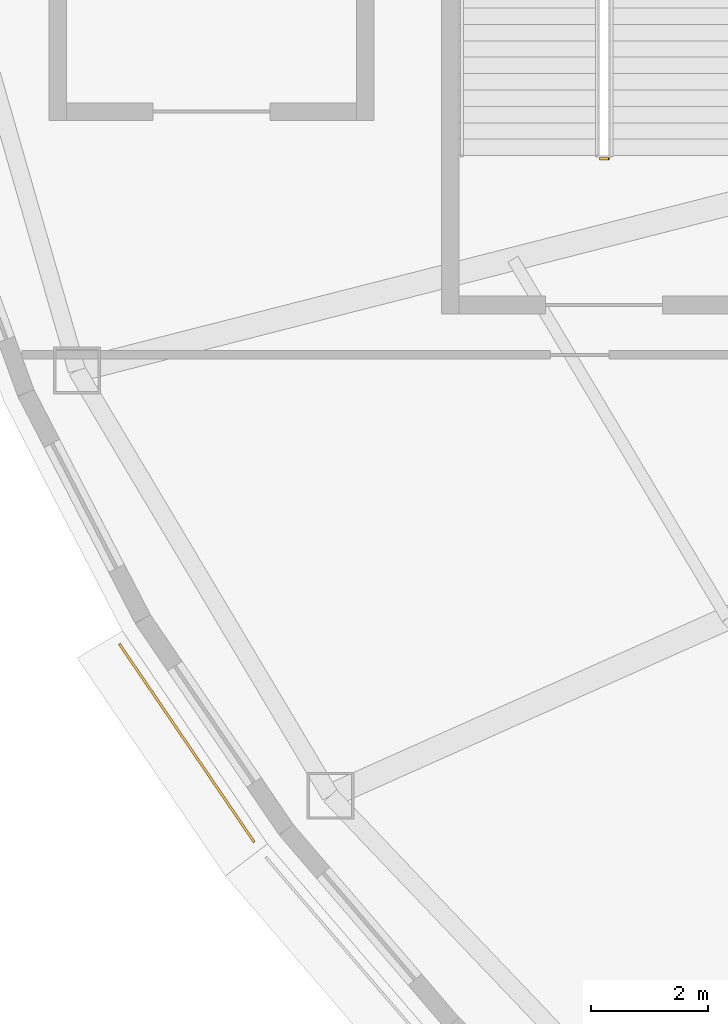
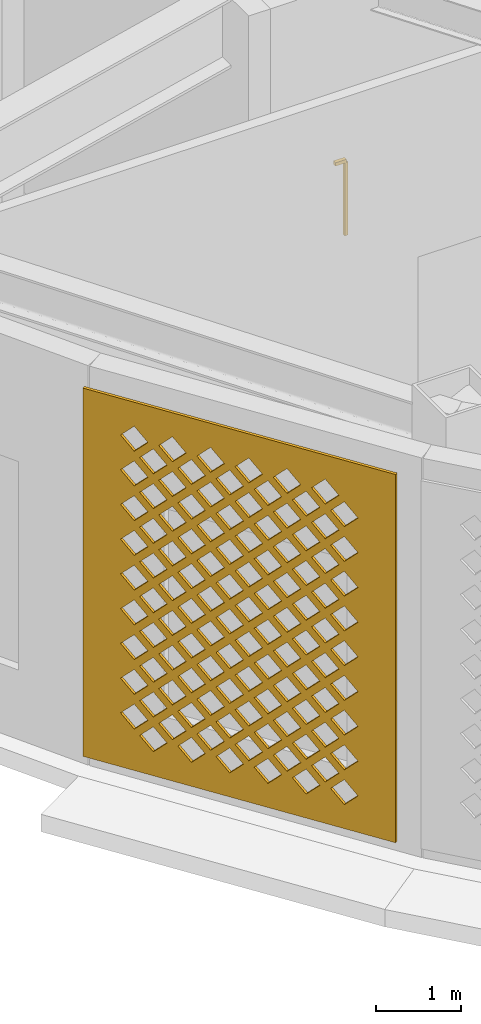
# One storey, part 40 of 74: 1 covering, 1 railing.
"""IFC4 building model written with IfcOpenShell, lengths in metres."""

from ifc_helpers import new_model, si_unit, direction, frame, origin, origin_2d, place, context, subcontext, project, spatial, polyline, rectangle, outline, extrude, material, layer, layer_set, type_object, element, save


model = new_model("IFC4")

# Units and contexts
model_context = context("Model", 3, precision=1e-05, world=origin(), true_north=direction((0.0, 1.0)))
body_context = subcontext(model_context, "Body", "Model", "MODEL_VIEW")
ifc_project = project(units=[si_unit("LENGTHUNIT", "METRE"), si_unit("AREAUNIT", "SQUARE_METRE"), si_unit("VOLUMEUNIT", "CUBIC_METRE"), si_unit("PLANEANGLEUNIT", "RADIAN"), si_unit("MASSUNIT", "GRAM", prefix="KILO")], contexts=[model_context])

# Site, building, storey
site_placement = place(None, origin())
site = spatial("IfcSite", under=ifc_project, at=site_placement, CompositionType="ELEMENT")
building_placement = place(site_placement, origin())
building = spatial("IfcBuilding", under=site, at=building_placement, Name="Noorbagh Ring Tower", CompositionType="ELEMENT")
storey_placement = place(building_placement, frame((0.0, 0.0, 13.5)))
storey = spatial("IfcBuildingStorey", under=building, at=storey_placement, Name="L02", CompositionType="ELEMENT", Elevation=13.5)

# Railing
ifc_material_1 = material(Name="Stainless steel", Category="steel")
railing_type = type_object("IfcRailingType", Name="GND-STAIR-GUARD", PredefinedType="GUARDRAIL", material=ifc_material_1)
railing_placement = place(storey_placement, frame((-38.949951171875, -8.64990234375, 0.0)))
element("IfcRailing", 1, at=railing_placement, inside=storey, type_object=railing_type, Name="L02 ST-P1 stair guard", PredefinedType="GUARDRAIL", context=body_context, shape_type="SweptSolid", body=[
    extrude(rectangle(XDim=0.048095703125, YDim=0.048095703125, at=origin_2d()), frame((0.0, 0.0, 1.076171875), z_axis=(-1.0, 0.0, 0.0), x_axis=(0.0, -1.0, 0.0)), (0.0, 0.0, 1.0), 0.150146484375),
    extrude(rectangle(XDim=0.0419921875, YDim=0.0419921875, at=origin_2d()), origin(), (0.0, 0.0, 1.0), 1.052001953125),
])

# Covering
ifc_material_2 = material(Name="Red sandstone jali", Category="masonry")
ifc_layer = layer(ifc_material_2, 0.0400390625)
ifc_layer_set = layer_set([ifc_layer], Name="Red sandstone jali")
covering_type = type_object("IfcCoveringType", Name="STY-JALI", PredefinedType="USERDEFINED", material=ifc_layer_set)
covering_placement = place(storey_placement, frame((-47.31591796875, -16.9443359375, 0.449951171875), z_axis=(-0.826637007867, -0.562735512675, 0.0), x_axis=(0.562735512675, -0.826637007867, 0.0)))
element("IfcCovering", 2, at=covering_placement, inside=storey, type_object=covering_type, Name="Jali screen", ObjectType="SCREEN", PredefinedType="USERDEFINED", context=body_context, shape_type="SweptSolid", body=[
    extrude(outline(polyline([(0.0, 0.0), (4.095458984375, 0.0), (4.095458984375, 5.300048828125), (0.0, 5.300048828125), (0.0, 0.0)]), holes=[polyline([(0.74267578125, 0.52490234375), (0.922607421875, 0.344970703125), (1.102783203125, 0.52490234375), (0.922607421875, 0.705078125), (0.74267578125, 0.52490234375)]), polyline([(1.24267578125, 0.52490234375), (1.422607421875, 0.344970703125), (1.602783203125, 0.52490234375), (1.422607421875, 0.705078125), (1.24267578125, 0.52490234375)]), polyline([(1.74267578125, 0.52490234375), (1.922607421875, 0.344970703125), (2.102783203125, 0.52490234375), (1.922607421875, 0.705078125), (1.74267578125, 0.52490234375)]), polyline([(2.24267578125, 0.52490234375), (2.422607421875, 0.344970703125), (2.602783203125, 0.52490234375), (2.422607421875, 0.705078125), (2.24267578125, 0.52490234375)]), polyline([(2.74267578125, 0.52490234375), (2.922607421875, 0.344970703125), (3.102783203125, 0.52490234375), (2.922607421875, 0.705078125), (2.74267578125, 0.52490234375)]), polyline([(3.24267578125, 0.52490234375), (3.422607421875, 0.344970703125), (3.602783203125, 0.52490234375), (3.422607421875, 0.705078125), (3.24267578125, 0.52490234375)]), polyline([(0.49267578125, 0.77490234375), (0.672607421875, 0.594970703125), (0.852783203125, 0.77490234375), (0.672607421875, 0.955078125), (0.49267578125, 0.77490234375)]), polyline([(0.99267578125, 0.77490234375), (1.172607421875, 0.594970703125), (1.352783203125, 0.77490234375), (1.172607421875, 0.955078125), (0.99267578125, 0.77490234375)]), polyline([(1.49267578125, 0.77490234375), (1.672607421875, 0.594970703125), (1.852783203125, 0.77490234375), (1.672607421875, 0.955078125), (1.49267578125, 0.77490234375)]), polyline([(1.99267578125, 0.77490234375), (2.172607421875, 0.594970703125), (2.352783203125, 0.77490234375), (2.172607421875, 0.955078125), (1.99267578125, 0.77490234375)]), polyline([(2.49267578125, 0.77490234375), (2.672607421875, 0.594970703125), (2.852783203125, 0.77490234375), (2.672607421875, 0.955078125), (2.49267578125, 0.77490234375)]), polyline([(2.99267578125, 0.77490234375), (3.172607421875, 0.594970703125), (3.352783203125, 0.77490234375), (3.172607421875, 0.955078125), (2.99267578125, 0.77490234375)]), polyline([(0.74267578125, 1.02490234375), (0.922607421875, 0.844970703125), (1.102783203125, 1.02490234375), (0.922607421875, 1.205078125), (0.74267578125, 1.02490234375)]), polyline([(1.24267578125, 1.02490234375), (1.422607421875, 0.844970703125), (1.602783203125, 1.02490234375), (1.422607421875, 1.205078125), (1.24267578125, 1.02490234375)]), polyline([(1.74267578125, 1.02490234375), (1.922607421875, 0.844970703125), (2.102783203125, 1.02490234375), (1.922607421875, 1.205078125), (1.74267578125, 1.02490234375)]), polyline([(2.24267578125, 1.02490234375), (2.422607421875, 0.844970703125), (2.602783203125, 1.02490234375), (2.422607421875, 1.205078125), (2.24267578125, 1.02490234375)]), polyline([(2.74267578125, 1.02490234375), (2.922607421875, 0.844970703125), (3.102783203125, 1.02490234375), (2.922607421875, 1.205078125), (2.74267578125, 1.02490234375)]), polyline([(3.24267578125, 1.02490234375), (3.422607421875, 0.844970703125), (3.602783203125, 1.02490234375), (3.422607421875, 1.205078125), (3.24267578125, 1.02490234375)]), polyline([(0.49267578125, 1.27490234375), (0.672607421875, 1.094970703125), (0.852783203125, 1.27490234375), (0.672607421875, 1.455078125), (0.49267578125, 1.27490234375)]), polyline([(0.99267578125, 1.27490234375), (1.172607421875, 1.094970703125), (1.352783203125, 1.27490234375), (1.172607421875, 1.455078125), (0.99267578125, 1.27490234375)]), polyline([(1.49267578125, 1.27490234375), (1.672607421875, 1.094970703125), (1.852783203125, 1.27490234375), (1.672607421875, 1.455078125), (1.49267578125, 1.27490234375)]), polyline([(1.99267578125, 1.27490234375), (2.172607421875, 1.094970703125), (2.352783203125, 1.27490234375), (2.172607421875, 1.455078125), (1.99267578125, 1.27490234375)]), polyline([(2.49267578125, 1.27490234375), (2.672607421875, 1.094970703125), (2.852783203125, 1.27490234375), (2.672607421875, 1.455078125), (2.49267578125, 1.27490234375)]), polyline([(2.99267578125, 1.27490234375), (3.172607421875, 1.094970703125), (3.352783203125, 1.27490234375), (3.172607421875, 1.455078125), (2.99267578125, 1.27490234375)]), polyline([(0.74267578125, 1.52490234375), (0.922607421875, 1.344970703125), (1.102783203125, 1.52490234375), (0.922607421875, 1.705078125), (0.74267578125, 1.52490234375)]), polyline([(1.24267578125, 1.52490234375), (1.422607421875, 1.344970703125), (1.602783203125, 1.52490234375), (1.422607421875, 1.705078125), (1.24267578125, 1.52490234375)]), polyline([(1.74267578125, 1.52490234375), (1.922607421875, 1.344970703125), (2.102783203125, 1.52490234375), (1.922607421875, 1.705078125), (1.74267578125, 1.52490234375)]), polyline([(2.24267578125, 1.52490234375), (2.422607421875, 1.344970703125), (2.602783203125, 1.52490234375), (2.422607421875, 1.705078125), (2.24267578125, 1.52490234375)]), polyline([(2.74267578125, 1.52490234375), (2.922607421875, 1.344970703125), (3.102783203125, 1.52490234375), (2.922607421875, 1.705078125), (2.74267578125, 1.52490234375)]), polyline([(3.24267578125, 1.52490234375), (3.422607421875, 1.344970703125), (3.602783203125, 1.52490234375), (3.422607421875, 1.705078125), (3.24267578125, 1.52490234375)]), polyline([(0.49267578125, 1.77490234375), (0.672607421875, 1.594970703125), (0.852783203125, 1.77490234375), (0.672607421875, 1.955078125), (0.49267578125, 1.77490234375)]), polyline([(0.99267578125, 1.77490234375), (1.172607421875, 1.594970703125), (1.352783203125, 1.77490234375), (1.172607421875, 1.955078125), (0.99267578125, 1.77490234375)]), polyline([(1.49267578125, 1.77490234375), (1.672607421875, 1.594970703125), (1.852783203125, 1.77490234375), (1.672607421875, 1.955078125), (1.49267578125, 1.77490234375)]), polyline([(1.99267578125, 1.77490234375), (2.172607421875, 1.594970703125), (2.352783203125, 1.77490234375), (2.172607421875, 1.955078125), (1.99267578125, 1.77490234375)]), polyline([(2.49267578125, 1.77490234375), (2.672607421875, 1.594970703125), (2.852783203125, 1.77490234375), (2.672607421875, 1.955078125), (2.49267578125, 1.77490234375)]), polyline([(2.99267578125, 1.77490234375), (3.172607421875, 1.594970703125), (3.352783203125, 1.77490234375), (3.172607421875, 1.955078125), (2.99267578125, 1.77490234375)]), polyline([(0.74267578125, 2.02490234375), (0.922607421875, 1.844970703125), (1.102783203125, 2.02490234375), (0.922607421875, 2.205078125), (0.74267578125, 2.02490234375)]), polyline([(1.24267578125, 2.02490234375), (1.422607421875, 1.844970703125), (1.602783203125, 2.02490234375), (1.422607421875, 2.205078125), (1.24267578125, 2.02490234375)]), polyline([(1.74267578125, 2.02490234375), (1.922607421875, 1.844970703125), (2.102783203125, 2.02490234375), (1.922607421875, 2.205078125), (1.74267578125, 2.02490234375)]), polyline([(2.24267578125, 2.02490234375), (2.422607421875, 1.844970703125), (2.602783203125, 2.02490234375), (2.422607421875, 2.205078125), (2.24267578125, 2.02490234375)]), polyline([(2.74267578125, 2.02490234375), (2.922607421875, 1.844970703125), (3.102783203125, 2.02490234375), (2.922607421875, 2.205078125), (2.74267578125, 2.02490234375)]), polyline([(3.24267578125, 2.02490234375), (3.422607421875, 1.844970703125), (3.602783203125, 2.02490234375), (3.422607421875, 2.205078125), (3.24267578125, 2.02490234375)]), polyline([(0.49267578125, 2.27490234375), (0.672607421875, 2.094970703125), (0.852783203125, 2.27490234375), (0.672607421875, 2.455078125), (0.49267578125, 2.27490234375)]), polyline([(0.99267578125, 2.27490234375), (1.172607421875, 2.094970703125), (1.352783203125, 2.27490234375), (1.172607421875, 2.455078125), (0.99267578125, 2.27490234375)]), polyline([(1.49267578125, 2.27490234375), (1.672607421875, 2.094970703125), (1.852783203125, 2.27490234375), (1.672607421875, 2.455078125), (1.49267578125, 2.27490234375)]), polyline([(1.99267578125, 2.27490234375), (2.172607421875, 2.094970703125), (2.352783203125, 2.27490234375), (2.172607421875, 2.455078125), (1.99267578125, 2.27490234375)]), polyline([(2.49267578125, 2.27490234375), (2.672607421875, 2.094970703125), (2.852783203125, 2.27490234375), (2.672607421875, 2.455078125), (2.49267578125, 2.27490234375)]), polyline([(2.99267578125, 2.27490234375), (3.172607421875, 2.094970703125), (3.352783203125, 2.27490234375), (3.172607421875, 2.455078125), (2.99267578125, 2.27490234375)]), polyline([(0.74267578125, 2.52490234375), (0.922607421875, 2.344970703125), (1.102783203125, 2.52490234375), (0.922607421875, 2.705078125), (0.74267578125, 2.52490234375)]), polyline([(1.24267578125, 2.52490234375), (1.422607421875, 2.344970703125), (1.602783203125, 2.52490234375), (1.422607421875, 2.705078125), (1.24267578125, 2.52490234375)]), polyline([(1.74267578125, 2.52490234375), (1.922607421875, 2.344970703125), (2.102783203125, 2.52490234375), (1.922607421875, 2.705078125), (1.74267578125, 2.52490234375)]), polyline([(2.24267578125, 2.52490234375), (2.422607421875, 2.344970703125), (2.602783203125, 2.52490234375), (2.422607421875, 2.705078125), (2.24267578125, 2.52490234375)]), polyline([(2.74267578125, 2.52490234375), (2.922607421875, 2.344970703125), (3.102783203125, 2.52490234375), (2.922607421875, 2.705078125), (2.74267578125, 2.52490234375)]), polyline([(3.24267578125, 2.52490234375), (3.422607421875, 2.344970703125), (3.602783203125, 2.52490234375), (3.422607421875, 2.705078125), (3.24267578125, 2.52490234375)]), polyline([(0.49267578125, 2.77490234375), (0.672607421875, 2.594970703125), (0.852783203125, 2.77490234375), (0.672607421875, 2.955078125), (0.49267578125, 2.77490234375)]), polyline([(0.99267578125, 2.77490234375), (1.172607421875, 2.594970703125), (1.352783203125, 2.77490234375), (1.172607421875, 2.955078125), (0.99267578125, 2.77490234375)]), polyline([(1.49267578125, 2.77490234375), (1.672607421875, 2.594970703125), (1.852783203125, 2.77490234375), (1.672607421875, 2.955078125), (1.49267578125, 2.77490234375)]), polyline([(1.99267578125, 2.77490234375), (2.172607421875, 2.594970703125), (2.352783203125, 2.77490234375), (2.172607421875, 2.955078125), (1.99267578125, 2.77490234375)]), polyline([(2.49267578125, 2.77490234375), (2.672607421875, 2.594970703125), (2.852783203125, 2.77490234375), (2.672607421875, 2.955078125), (2.49267578125, 2.77490234375)]), polyline([(2.99267578125, 2.77490234375), (3.172607421875, 2.594970703125), (3.352783203125, 2.77490234375), (3.172607421875, 2.955078125), (2.99267578125, 2.77490234375)]), polyline([(0.74267578125, 3.02490234375), (0.922607421875, 2.844970703125), (1.102783203125, 3.02490234375), (0.922607421875, 3.205078125), (0.74267578125, 3.02490234375)]), polyline([(1.24267578125, 3.02490234375), (1.422607421875, 2.844970703125), (1.602783203125, 3.02490234375), (1.422607421875, 3.205078125), (1.24267578125, 3.02490234375)]), polyline([(1.74267578125, 3.02490234375), (1.922607421875, 2.844970703125), (2.102783203125, 3.02490234375), (1.922607421875, 3.205078125), (1.74267578125, 3.02490234375)]), polyline([(2.24267578125, 3.02490234375), (2.422607421875, 2.844970703125), (2.602783203125, 3.02490234375), (2.422607421875, 3.205078125), (2.24267578125, 3.02490234375)]), polyline([(2.74267578125, 3.02490234375), (2.922607421875, 2.844970703125), (3.102783203125, 3.02490234375), (2.922607421875, 3.205078125), (2.74267578125, 3.02490234375)]), polyline([(3.24267578125, 3.02490234375), (3.422607421875, 2.844970703125), (3.602783203125, 3.02490234375), (3.422607421875, 3.205078125), (3.24267578125, 3.02490234375)]), polyline([(0.49267578125, 3.27490234375), (0.672607421875, 3.094970703125), (0.852783203125, 3.27490234375), (0.672607421875, 3.455078125), (0.49267578125, 3.27490234375)]), polyline([(0.99267578125, 3.27490234375), (1.172607421875, 3.094970703125), (1.352783203125, 3.27490234375), (1.172607421875, 3.455078125), (0.99267578125, 3.27490234375)]), polyline([(1.49267578125, 3.27490234375), (1.672607421875, 3.094970703125), (1.852783203125, 3.27490234375), (1.672607421875, 3.455078125), (1.49267578125, 3.27490234375)]), polyline([(1.99267578125, 3.27490234375), (2.172607421875, 3.094970703125), (2.352783203125, 3.27490234375), (2.172607421875, 3.455078125), (1.99267578125, 3.27490234375)]), polyline([(2.49267578125, 3.27490234375), (2.672607421875, 3.094970703125), (2.852783203125, 3.27490234375), (2.672607421875, 3.455078125), (2.49267578125, 3.27490234375)]), polyline([(2.99267578125, 3.27490234375), (3.172607421875, 3.094970703125), (3.352783203125, 3.27490234375), (3.172607421875, 3.455078125), (2.99267578125, 3.27490234375)]), polyline([(0.74267578125, 3.52490234375), (0.922607421875, 3.344970703125), (1.102783203125, 3.52490234375), (0.922607421875, 3.705078125), (0.74267578125, 3.52490234375)]), polyline([(1.24267578125, 3.52490234375), (1.422607421875, 3.344970703125), (1.602783203125, 3.52490234375), (1.422607421875, 3.705078125), (1.24267578125, 3.52490234375)]), polyline([(1.74267578125, 3.52490234375), (1.922607421875, 3.344970703125), (2.102783203125, 3.52490234375), (1.922607421875, 3.705078125), (1.74267578125, 3.52490234375)]), polyline([(2.24267578125, 3.52490234375), (2.422607421875, 3.344970703125), (2.602783203125, 3.52490234375), (2.422607421875, 3.705078125), (2.24267578125, 3.52490234375)]), polyline([(2.74267578125, 3.52490234375), (2.922607421875, 3.344970703125), (3.102783203125, 3.52490234375), (2.922607421875, 3.705078125), (2.74267578125, 3.52490234375)]), polyline([(3.24267578125, 3.52490234375), (3.422607421875, 3.344970703125), (3.602783203125, 3.52490234375), (3.422607421875, 3.705078125), (3.24267578125, 3.52490234375)]), polyline([(0.49267578125, 3.77490234375), (0.672607421875, 3.594970703125), (0.852783203125, 3.77490234375), (0.672607421875, 3.955078125), (0.49267578125, 3.77490234375)]), polyline([(0.99267578125, 3.77490234375), (1.172607421875, 3.594970703125), (1.352783203125, 3.77490234375), (1.172607421875, 3.955078125), (0.99267578125, 3.77490234375)]), polyline([(1.49267578125, 3.77490234375), (1.672607421875, 3.594970703125), (1.852783203125, 3.77490234375), (1.672607421875, 3.955078125), (1.49267578125, 3.77490234375)]), polyline([(1.99267578125, 3.77490234375), (2.172607421875, 3.594970703125), (2.352783203125, 3.77490234375), (2.172607421875, 3.955078125), (1.99267578125, 3.77490234375)]), polyline([(2.49267578125, 3.77490234375), (2.672607421875, 3.594970703125), (2.852783203125, 3.77490234375), (2.672607421875, 3.955078125), (2.49267578125, 3.77490234375)]), polyline([(2.99267578125, 3.77490234375), (3.172607421875, 3.594970703125), (3.352783203125, 3.77490234375), (3.172607421875, 3.955078125), (2.99267578125, 3.77490234375)]), polyline([(0.74267578125, 4.02490234375), (0.922607421875, 3.844970703125), (1.102783203125, 4.02490234375), (0.922607421875, 4.205078125), (0.74267578125, 4.02490234375)]), polyline([(1.24267578125, 4.02490234375), (1.422607421875, 3.844970703125), (1.602783203125, 4.02490234375), (1.422607421875, 4.205078125), (1.24267578125, 4.02490234375)]), polyline([(1.74267578125, 4.02490234375), (1.922607421875, 3.844970703125), (2.102783203125, 4.02490234375), (1.922607421875, 4.205078125), (1.74267578125, 4.02490234375)]), polyline([(2.24267578125, 4.02490234375), (2.422607421875, 3.844970703125), (2.602783203125, 4.02490234375), (2.422607421875, 4.205078125), (2.24267578125, 4.02490234375)]), polyline([(2.74267578125, 4.02490234375), (2.922607421875, 3.844970703125), (3.102783203125, 4.02490234375), (2.922607421875, 4.205078125), (2.74267578125, 4.02490234375)]), polyline([(3.24267578125, 4.02490234375), (3.422607421875, 3.844970703125), (3.602783203125, 4.02490234375), (3.422607421875, 4.205078125), (3.24267578125, 4.02490234375)]), polyline([(0.49267578125, 4.27490234375), (0.672607421875, 4.094970703125), (0.852783203125, 4.27490234375), (0.672607421875, 4.455078125), (0.49267578125, 4.27490234375)]), polyline([(0.99267578125, 4.27490234375), (1.172607421875, 4.094970703125), (1.352783203125, 4.27490234375), (1.172607421875, 4.455078125), (0.99267578125, 4.27490234375)]), polyline([(1.49267578125, 4.27490234375), (1.672607421875, 4.094970703125), (1.852783203125, 4.27490234375), (1.672607421875, 4.455078125), (1.49267578125, 4.27490234375)]), polyline([(1.99267578125, 4.27490234375), (2.172607421875, 4.094970703125), (2.352783203125, 4.27490234375), (2.172607421875, 4.455078125), (1.99267578125, 4.27490234375)]), polyline([(2.49267578125, 4.27490234375), (2.672607421875, 4.094970703125), (2.852783203125, 4.27490234375), (2.672607421875, 4.455078125), (2.49267578125, 4.27490234375)]), polyline([(2.99267578125, 4.27490234375), (3.172607421875, 4.094970703125), (3.352783203125, 4.27490234375), (3.172607421875, 4.455078125), (2.99267578125, 4.27490234375)]), polyline([(0.74267578125, 4.52490234375), (0.922607421875, 4.344970703125), (1.102783203125, 4.52490234375), (0.922607421875, 4.705078125), (0.74267578125, 4.52490234375)]), polyline([(1.24267578125, 4.52490234375), (1.422607421875, 4.344970703125), (1.602783203125, 4.52490234375), (1.422607421875, 4.705078125), (1.24267578125, 4.52490234375)]), polyline([(1.74267578125, 4.52490234375), (1.922607421875, 4.344970703125), (2.102783203125, 4.52490234375), (1.922607421875, 4.705078125), (1.74267578125, 4.52490234375)]), polyline([(2.24267578125, 4.52490234375), (2.422607421875, 4.344970703125), (2.602783203125, 4.52490234375), (2.422607421875, 4.705078125), (2.24267578125, 4.52490234375)]), polyline([(2.74267578125, 4.52490234375), (2.922607421875, 4.344970703125), (3.102783203125, 4.52490234375), (2.922607421875, 4.705078125), (2.74267578125, 4.52490234375)]), polyline([(3.24267578125, 4.52490234375), (3.422607421875, 4.344970703125), (3.602783203125, 4.52490234375), (3.422607421875, 4.705078125), (3.24267578125, 4.52490234375)]), polyline([(0.49267578125, 4.77490234375), (0.672607421875, 4.594970703125), (0.852783203125, 4.77490234375), (0.672607421875, 4.955078125), (0.49267578125, 4.77490234375)]), polyline([(0.99267578125, 4.77490234375), (1.172607421875, 4.594970703125), (1.352783203125, 4.77490234375), (1.172607421875, 4.955078125), (0.99267578125, 4.77490234375)]), polyline([(1.49267578125, 4.77490234375), (1.672607421875, 4.594970703125), (1.852783203125, 4.77490234375), (1.672607421875, 4.955078125), (1.49267578125, 4.77490234375)]), polyline([(1.99267578125, 4.77490234375), (2.172607421875, 4.594970703125), (2.352783203125, 4.77490234375), (2.172607421875, 4.955078125), (1.99267578125, 4.77490234375)]), polyline([(2.49267578125, 4.77490234375), (2.672607421875, 4.594970703125), (2.852783203125, 4.77490234375), (2.672607421875, 4.955078125), (2.49267578125, 4.77490234375)]), polyline([(2.99267578125, 4.77490234375), (3.172607421875, 4.594970703125), (3.352783203125, 4.77490234375), (3.172607421875, 4.955078125), (2.99267578125, 4.77490234375)])]), origin(), (0.0, 0.0, -1.0), 0.0400390625),
])

save(model, "model.ifc")
